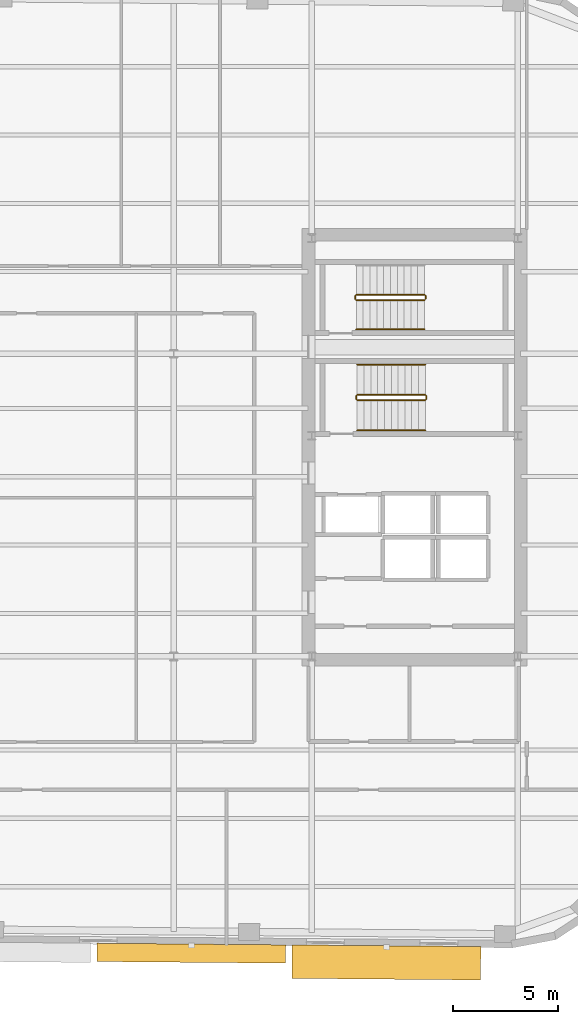
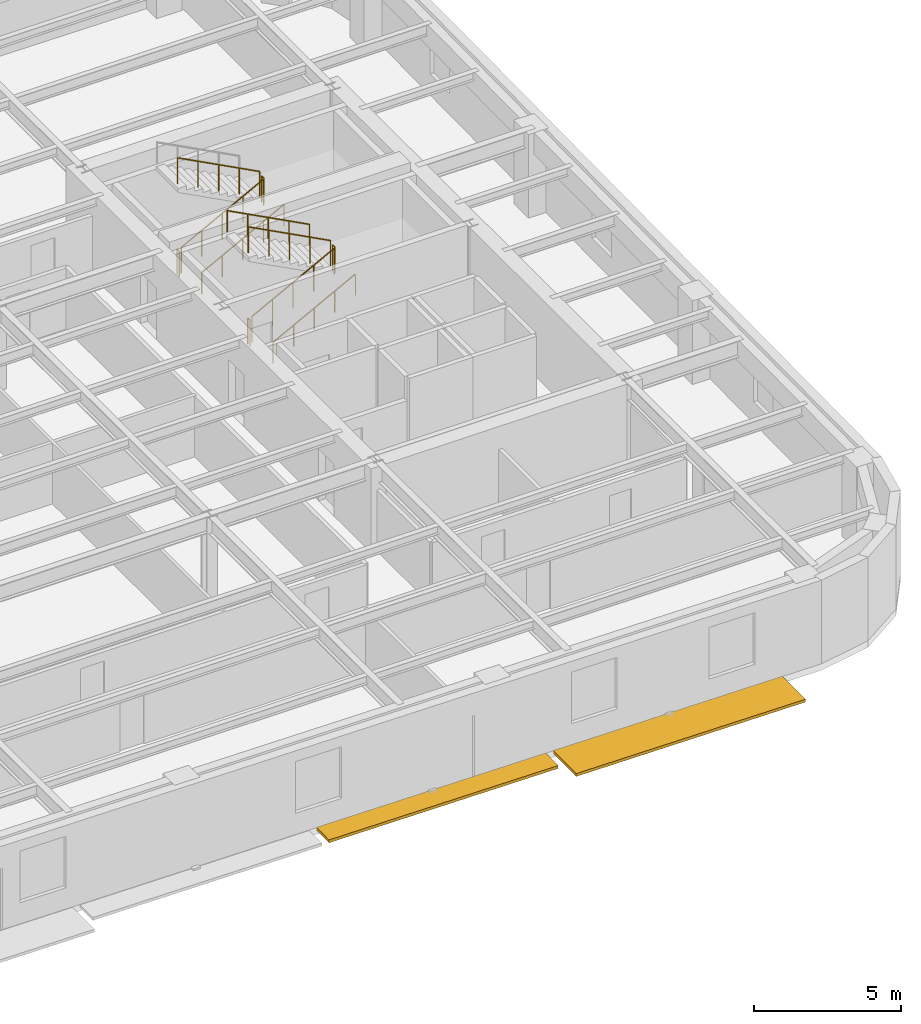
# One storey, part 10 of 11: 11 railings, 2 shading devices.
"""IFC4 building model written with IfcOpenShell, lengths in metres."""

from ifc_helpers import new_model, si_unit, direction, frame, origin, origin_2d, place, context, subcontext, project, spatial, rectangle, circle, extrude, material, type_object, element, save


model = new_model("IFC4")

# Units and contexts
model_context = context("Model", 3, precision=1e-05, world=origin(), true_north=direction((0.0, 1.0)))
body_context = subcontext(model_context, "Body", "Model", "MODEL_VIEW")
ifc_project = project(units=[si_unit("LENGTHUNIT", "METRE"), si_unit("AREAUNIT", "SQUARE_METRE"), si_unit("VOLUMEUNIT", "CUBIC_METRE"), si_unit("PLANEANGLEUNIT", "RADIAN"), si_unit("MASSUNIT", "GRAM", prefix="KILO")], contexts=[model_context])

# Site, building, storey
site_placement = place(None, origin())
site = spatial("IfcSite", under=ifc_project, at=site_placement, CompositionType="ELEMENT")
building_placement = place(site_placement, origin())
building = spatial("IfcBuilding", under=site, at=building_placement, Name="Kolvaren Arena Tower", CompositionType="ELEMENT")
storey_placement = place(building_placement, frame((0.0, 0.0, 169.699951171875)))
storey = spatial("IfcBuildingStorey", under=building, at=storey_placement, Name="L40", CompositionType="ELEMENT", Elevation=169.699951171875)

# Railings
ifc_material_1 = material(Name="Painted galvanized steel", Category="steel")
railing_type_1 = type_object("IfcRailingType", Name="GUARD-ST-110", PredefinedType="GUARDRAIL", material=ifc_material_1)
railing_1_placement = place(storey_placement, frame((52.719970703125, 31.639892578125, 0.17041015625)))
element("IfcRailing", 1, at=railing_1_placement, inside=storey, type_object=railing_type_1, Name="L40 ST-E1 stair guard 1", PredefinedType="GUARDRAIL", context=body_context, shape_type="SweptSolid", body=[
    extrude(circle(Radius=0.02392578125, at=origin_2d()), frame((0.0, 0.0, 1.076171875), z_axis=(0.884993431791, 0.0, 0.465603506952), x_axis=(0.0, 1.0, 0.0)), (0.0, 0.0, 1.0), 3.6611328125),
    extrude(circle(Radius=0.02099609375, at=origin_2d()), origin(), (0.0, 0.0, 1.0), 1.052001953125),
    extrude(circle(Radius=0.02099609375, at=origin_2d()), frame((0.81005859375, 0.0, 0.42626953125)), (0.0, 0.0, 1.0), 1.052001953125),
    extrude(circle(Radius=0.02099609375, at=origin_2d()), frame((1.6201171875, 0.0, 0.852294921875)), (0.0, 0.0, 1.0), 1.052001953125),
    extrude(circle(Radius=0.02099609375, at=origin_2d()), frame((2.429931640625, 0.0, 1.2783203125)), (0.0, 0.0, 1.0), 1.052001953125),
    extrude(circle(Radius=0.02099609375, at=origin_2d()), frame((3.239990234375, 0.0, 1.70458984375)), (0.0, 0.0, 1.0), 1.052001953125),
])
railing_2_placement = place(storey_placement, frame((56.010009765625, 31.68994140625, 1.875)))
element("IfcRailing", 2, at=railing_2_placement, inside=storey, type_object=railing_type_1, Name="L40 ST-E1 stair guard 2", PredefinedType="GUARDRAIL", context=body_context, shape_type="SweptSolid", body=[
    extrude(circle(Radius=0.02392578125, at=origin_2d()), frame((0.0, 0.0, 1.076171875), z_axis=(0.0, 1.0, 0.0), x_axis=(-1.0, 0.0, 0.0)), (0.0, 0.0, 1.0), 0.150146484375),
    extrude(circle(Radius=0.02099609375, at=origin_2d()), origin(), (0.0, 0.0, 1.0), 1.052001953125),
    extrude(circle(Radius=0.02099609375, at=origin_2d()), frame((0.0, 0.150146484375, 0.0)), (0.0, 0.0, 1.0), 1.052001953125),
])
railing_3_placement = place(storey_placement, frame((55.9599609375, 31.889892578125, 2.04541015625)))
element("IfcRailing", 3, at=railing_3_placement, inside=storey, type_object=railing_type_1, Name="L40 ST-E1 stair guard 3", PredefinedType="GUARDRAIL", context=body_context, shape_type="SweptSolid", body=[
    extrude(circle(Radius=0.02392578125, at=origin_2d()), frame((0.0, 0.0, 1.076171875), z_axis=(-0.884993431791, 0.0, 0.465603506952), x_axis=(0.0, -1.0, 0.0)), (0.0, 0.0, 1.0), 3.6611328125),
    extrude(circle(Radius=0.02099609375, at=origin_2d()), origin(), (0.0, 0.0, 1.0), 1.052001953125),
    extrude(circle(Radius=0.02099609375, at=origin_2d()), frame((-0.81005859375, 0.0, 0.42626953125)), (0.0, 0.0, 1.0), 1.052001953125),
    extrude(circle(Radius=0.02099609375, at=origin_2d()), frame((-1.6201171875, 0.0, 0.852294921875)), (0.0, 0.0, 1.0), 1.052001953125),
    extrude(circle(Radius=0.02099609375, at=origin_2d()), frame((-2.429931640625, 0.0, 1.2783203125)), (0.0, 0.0, 1.0), 1.052001953125),
    extrude(circle(Radius=0.02099609375, at=origin_2d()), frame((-3.239990234375, 0.0, 1.70458984375)), (0.0, 0.0, 1.0), 1.052001953125),
])
railing_4_placement = place(storey_placement, frame((52.669921875, 31.68994140625, 0.0)))
element("IfcRailing", 4, at=railing_4_placement, inside=storey, type_object=railing_type_1, Name="L40 ST-E1 stair guard 4", PredefinedType="GUARDRAIL", context=body_context, shape_type="SweptSolid", body=[
    extrude(circle(Radius=0.02392578125, at=origin_2d()), frame((0.0, 0.0, 1.076171875), z_axis=(0.0, 1.0, 0.0), x_axis=(-1.0, 0.0, 0.0)), (0.0, 0.0, 1.0), 0.150146484375),
    extrude(circle(Radius=0.02099609375, at=origin_2d()), origin(), (0.0, 0.0, 1.0), 1.052001953125),
    extrude(circle(Radius=0.02099609375, at=origin_2d()), frame((0.0, 0.150146484375, 0.0)), (0.0, 0.0, 1.0), 1.052001953125),
])
railing_5_placement = place(storey_placement, frame((52.679931640625, 36.39990234375, 0.17041015625)))
element("IfcRailing", 5, at=railing_5_placement, inside=storey, type_object=railing_type_1, Name="L40 ST-E2 stair guard 1", PredefinedType="GUARDRAIL", context=body_context, shape_type="SweptSolid", body=[
    extrude(circle(Radius=0.02392578125, at=origin_2d()), frame((0.0, 0.0, 1.076171875), z_axis=(0.884993431791, 0.0, 0.465603506952), x_axis=(0.0, 1.0, 0.0)), (0.0, 0.0, 1.0), 3.6611328125),
    extrude(circle(Radius=0.02099609375, at=origin_2d()), origin(), (0.0, 0.0, 1.0), 1.052001953125),
    extrude(circle(Radius=0.02099609375, at=origin_2d()), frame((0.81005859375, 0.0, 0.42626953125)), (0.0, 0.0, 1.0), 1.052001953125),
    extrude(circle(Radius=0.02099609375, at=origin_2d()), frame((1.6201171875, 0.0, 0.852294921875)), (0.0, 0.0, 1.0), 1.052001953125),
    extrude(circle(Radius=0.02099609375, at=origin_2d()), frame((2.429931640625, 0.0, 1.2783203125)), (0.0, 0.0, 1.0), 1.052001953125),
    extrude(circle(Radius=0.02099609375, at=origin_2d()), frame((3.239990234375, 0.0, 1.70458984375)), (0.0, 0.0, 1.0), 1.052001953125),
])
railing_6_placement = place(storey_placement, frame((55.969970703125, 36.449951171875, 1.875)))
element("IfcRailing", 6, at=railing_6_placement, inside=storey, type_object=railing_type_1, Name="L40 ST-E2 stair guard 2", PredefinedType="GUARDRAIL", context=body_context, shape_type="SweptSolid", body=[
    extrude(circle(Radius=0.02392578125, at=origin_2d()), frame((0.0, 0.0, 1.076171875), z_axis=(0.0, 1.0, 0.0), x_axis=(-1.0, 0.0, 0.0)), (0.0, 0.0, 1.0), 0.150146484375),
    extrude(circle(Radius=0.02099609375, at=origin_2d()), origin(), (0.0, 0.0, 1.0), 1.052001953125),
    extrude(circle(Radius=0.02099609375, at=origin_2d()), frame((0.0, 0.150146484375, 0.0)), (0.0, 0.0, 1.0), 1.052001953125),
])
railing_7_placement = place(storey_placement, frame((55.919921875, 36.64990234375, 2.04541015625)))
element("IfcRailing", 7, at=railing_7_placement, inside=storey, type_object=railing_type_1, Name="L40 ST-E2 stair guard 3", PredefinedType="GUARDRAIL", context=body_context, shape_type="SweptSolid", body=[
    extrude(circle(Radius=0.02392578125, at=origin_2d()), frame((0.0, 0.0, 1.076171875), z_axis=(-0.884993431791, 0.0, 0.465603506952), x_axis=(0.0, -1.0, 0.0)), (0.0, 0.0, 1.0), 3.6611328125),
    extrude(circle(Radius=0.02099609375, at=origin_2d()), origin(), (0.0, 0.0, 1.0), 1.052001953125),
    extrude(circle(Radius=0.02099609375, at=origin_2d()), frame((-0.81005859375, 0.0, 0.42626953125)), (0.0, 0.0, 1.0), 1.052001953125),
    extrude(circle(Radius=0.02099609375, at=origin_2d()), frame((-1.6201171875, 0.0, 0.852294921875)), (0.0, 0.0, 1.0), 1.052001953125),
    extrude(circle(Radius=0.02099609375, at=origin_2d()), frame((-2.429931640625, 0.0, 1.2783203125)), (0.0, 0.0, 1.0), 1.052001953125),
    extrude(circle(Radius=0.02099609375, at=origin_2d()), frame((-3.239990234375, 0.0, 1.70458984375)), (0.0, 0.0, 1.0), 1.052001953125),
])
railing_8_placement = place(storey_placement, frame((52.6298828125, 36.449951171875, 0.0)))
element("IfcRailing", 8, at=railing_8_placement, inside=storey, type_object=railing_type_1, Name="L40 ST-E2 stair guard 4", PredefinedType="GUARDRAIL", context=body_context, shape_type="SweptSolid", body=[
    extrude(circle(Radius=0.02392578125, at=origin_2d()), frame((0.0, 0.0, 1.076171875), z_axis=(0.0, 1.0, 0.0), x_axis=(-1.0, 0.0, 0.0)), (0.0, 0.0, 1.0), 0.150146484375),
    extrude(circle(Radius=0.02099609375, at=origin_2d()), origin(), (0.0, 0.0, 1.0), 1.052001953125),
    extrude(circle(Radius=0.02099609375, at=origin_2d()), frame((0.0, 0.150146484375, 0.0)), (0.0, 0.0, 1.0), 1.052001953125),
])
ifc_material_2 = material(Name="Brushed stainless steel handrail", Category="steel")
railing_type_2 = type_object("IfcRailingType", Name="HRAIL-900", PredefinedType="HANDRAIL", material=ifc_material_2)
railing_9_placement = place(storey_placement, frame((52.719970703125, 30.199951171875, 0.17041015625)))
element("IfcRailing", 9, at=railing_9_placement, inside=storey, type_object=railing_type_2, Name="L40 ST-E1 stair handrail 1", PredefinedType="HANDRAIL", context=body_context, shape_type="SweptSolid", body=[
    extrude(circle(Radius=0.02392578125, at=origin_2d()), frame((0.0, 0.0, 0.8759765625), z_axis=(0.884993431791, 0.0, 0.465603506952), x_axis=(0.0, 1.0, 0.0)), (0.0, 0.0, 1.0), 3.6611328125),
    extrude(circle(Radius=0.02099609375, at=origin_2d()), origin(), (0.0, 0.0, 1.0), 0.851806640625),
    extrude(circle(Radius=0.02099609375, at=origin_2d()), frame((0.81005859375, 0.0, 0.42626953125)), (0.0, 0.0, 1.0), 0.851806640625),
    extrude(circle(Radius=0.02099609375, at=origin_2d()), frame((1.6201171875, 0.0, 0.852294921875)), (0.0, 0.0, 1.0), 0.851806640625),
    extrude(circle(Radius=0.02099609375, at=origin_2d()), frame((2.429931640625, 0.0, 1.2783203125)), (0.0, 0.0, 1.0), 0.851806640625),
    extrude(circle(Radius=0.02099609375, at=origin_2d()), frame((3.239990234375, 0.0, 1.70458984375)), (0.0, 0.0, 1.0), 0.851806640625),
])
railing_10_placement = place(storey_placement, frame((55.9599609375, 33.330078125, 2.04541015625)))
element("IfcRailing", 10, at=railing_10_placement, inside=storey, type_object=railing_type_2, Name="L40 ST-E1 stair handrail 2", PredefinedType="HANDRAIL", context=body_context, shape_type="SweptSolid", body=[
    extrude(circle(Radius=0.02392578125, at=origin_2d()), frame((0.0, 0.0, 0.8759765625), z_axis=(-0.884993431791, 0.0, 0.465603506952), x_axis=(0.0, -1.0, 0.0)), (0.0, 0.0, 1.0), 3.6611328125),
    extrude(circle(Radius=0.02099609375, at=origin_2d()), origin(), (0.0, 0.0, 1.0), 0.851806640625),
    extrude(circle(Radius=0.02099609375, at=origin_2d()), frame((-0.81005859375, 0.0, 0.42626953125)), (0.0, 0.0, 1.0), 0.851806640625),
    extrude(circle(Radius=0.02099609375, at=origin_2d()), frame((-1.6201171875, 0.0, 0.852294921875)), (0.0, 0.0, 1.0), 0.851806640625),
    extrude(circle(Radius=0.02099609375, at=origin_2d()), frame((-2.429931640625, 0.0, 1.2783203125)), (0.0, 0.0, 1.0), 0.851806640625),
    extrude(circle(Radius=0.02099609375, at=origin_2d()), frame((-3.239990234375, 0.0, 1.70458984375)), (0.0, 0.0, 1.0), 0.851806640625),
])
railing_11_placement = place(storey_placement, frame((52.679931640625, 35.0, 0.17041015625)))
element("IfcRailing", 11, at=railing_11_placement, inside=storey, type_object=railing_type_2, Name="L40 ST-E2 stair handrail 1", PredefinedType="HANDRAIL", context=body_context, shape_type="SweptSolid", body=[
    extrude(circle(Radius=0.02392578125, at=origin_2d()), frame((0.0, 0.0, 0.8759765625), z_axis=(0.884993431791, 0.0, 0.465603506952), x_axis=(0.0, 1.0, 0.0)), (0.0, 0.0, 1.0), 3.6611328125),
    extrude(circle(Radius=0.02099609375, at=origin_2d()), origin(), (0.0, 0.0, 1.0), 0.851806640625),
    extrude(circle(Radius=0.02099609375, at=origin_2d()), frame((0.81005859375, 0.0, 0.42626953125)), (0.0, 0.0, 1.0), 0.851806640625),
    extrude(circle(Radius=0.02099609375, at=origin_2d()), frame((1.6201171875, 0.0, 0.852294921875)), (0.0, 0.0, 1.0), 0.851806640625),
    extrude(circle(Radius=0.02099609375, at=origin_2d()), frame((2.429931640625, 0.0, 1.2783203125)), (0.0, 0.0, 1.0), 0.851806640625),
    extrude(circle(Radius=0.02099609375, at=origin_2d()), frame((3.239990234375, 0.0, 1.70458984375)), (0.0, 0.0, 1.0), 0.851806640625),
])

# Shading devices
ifc_material_3 = material(Name="Architectural precast GFRC and anodised aluminium sunshade", Category="concrete")
shading_device_type_1 = type_object("IfcShadingDeviceType", Name="SHAD-SINE-A", PredefinedType="USERDEFINED", material=ifc_material_3)
shading_device_1_placement = place(storey_placement, frame((44.827392578125, 5.33349609375, -0.139892578125), z_axis=(0.0, 0.0, 1.0), x_axis=(-0.999961923064, 0.008726535498, 0.0)))
element("IfcShadingDevice", 12, at=shading_device_1_placement, inside=storey, type_object=shading_device_type_1, Name="Sinusoidal Slab-Edge Sunshade Louvre (L40)", ObjectType="LOUVRE", PredefinedType="USERDEFINED", context=body_context, shape_type="SweptSolid", body=[
    extrude(rectangle(XDim=8.97998046875, YDim=0.8701171875, at=origin_2d()), origin(), (0.0, 0.0, 1.0), 0.1201171875),
])
shading_device_type_2 = type_object("IfcShadingDeviceType", Name="SHAD-SINE-B", PredefinedType="JALOUSIE", material=ifc_material_3)
shading_device_2_placement = place(storey_placement, frame((54.103759765625, 4.892822265625, -0.139892578125), z_axis=(0.0, 0.0, 1.0), x_axis=(-0.999961923064, 0.008726535498, 0.0)))
element("IfcShadingDevice", 13, at=shading_device_2_placement, inside=storey, type_object=shading_device_type_2, Name="Sinusoidal Slab-Edge Sunshade Louvre (L40)", PredefinedType="JALOUSIE", context=body_context, shape_type="SweptSolid", body=[
    extrude(rectangle(XDim=8.97998046875, YDim=1.589599609375, at=origin_2d()), origin(), (0.0, 0.0, 1.0), 0.1201171875),
])

save(model, "model.ifc")
